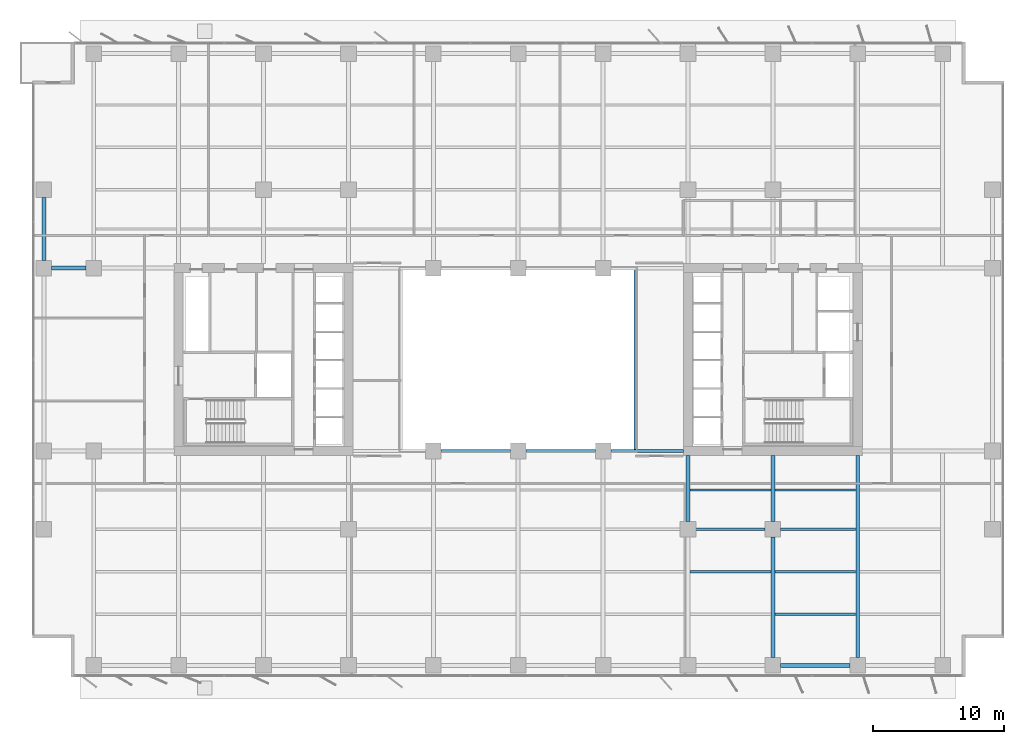
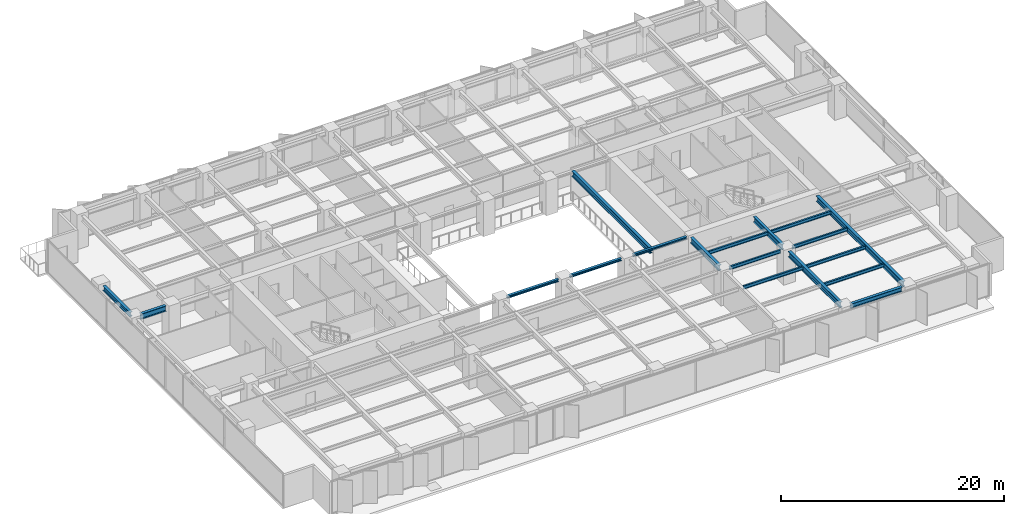
# One storey, part 6 of 19: 18 beams.
"""IFC4 building model written with IfcOpenShell, lengths in metres."""

import ifcopenshell
import ifcopenshell.guid

model = None  # the IFC model being written
_history = None  # IfcOwnerHistory: only IFC2X3 demands one
_inside = {}  # id of a spatial element -> (the spatial element, [elements in it])
_under = {}  # id of a project, library or spatial element -> (it, [spatial elements below it])
_declared = {}  # id of a project -> (the project, [libraries it declares])
_typed = {}  # id of a type object -> (the type object, [elements of that type])
_made_of = {}  # id of a material, layer set ... -> (it, [elements and type objects made of it])


def new_model(schema):
    """Start an empty IFC model of exactly this schema.

    Asked for "IFC4X3", IfcOpenShell would pick the latest addendum, in which some entities
    have other attributes; the version numbers below select the first issue.
    IFC2X3 requires an IfcOwnerHistory on every rooted entity: one is made here for all.
    """
    global model, _history
    if schema == "IFC4X3":
        model = ifcopenshell.file(schema_version=(4, 3, 0, 0))
    else:
        model = ifcopenshell.file(schema=schema)
    _inside.clear()
    _under.clear()
    _declared.clear()
    _typed.clear()
    _made_of.clear()
    _history = None
    if model.schema == "IFC2X3":
        org = make("IfcOrganization", Name="unknown")
        user = make(
            "IfcPersonAndOrganization",
            ThePerson=make("IfcPerson", FamilyName="unknown"),
            TheOrganization=org,
        )
        app = make(
            "IfcApplication",
            ApplicationDeveloper=org,
            Version="unknown",
            ApplicationFullName="unknown",
            ApplicationIdentifier="unknown",
        )
        _history = make(
            "IfcOwnerHistory",
            OwningUser=user,
            OwningApplication=app,
            ChangeAction="ADDED",
            CreationDate=0,
        )
    return model


def make(cls, **values):
    """One entity of the class cls with the attributes given. An attribute that is None is left unset."""
    return model.create_entity(
        cls, **{name: value for name, value in values.items() if value is not None}
    )


def rooted(cls, **values):
    """An entity with a GlobalId (a new one), such as an element, a storey or a relation."""
    return make(cls, GlobalId=ifcopenshell.guid.new(), OwnerHistory=_history, **values)


def si_unit(unit_type, name, prefix=None):
    """IfcSIUnit, for example si_unit("LENGTHUNIT", "METRE", prefix="MILLI")."""
    return make("IfcSIUnit", UnitType=unit_type, Prefix=prefix, Name=name)


def assignment(units):
    """IfcUnitAssignment: the units of a project."""
    return None if units is None else make("IfcUnitAssignment", Units=units)


def point(xyz):
    """IfcCartesianPoint."""
    return None if xyz is None else make("IfcCartesianPoint", Coordinates=xyz)


def direction(xyz):
    """IfcDirection."""
    return None if xyz is None else make("IfcDirection", DirectionRatios=xyz)


def frame(location, z_axis=None, x_axis=None):
    """IfcAxis2Placement3D, a coordinate frame: its origin and axes. An axis left out is left unset."""
    return make(
        "IfcAxis2Placement3D",
        Location=point(location),
        Axis=direction(z_axis),
        RefDirection=direction(x_axis),
    )


def frame_2d(location, x_axis=None):
    """IfcAxis2Placement2D, a coordinate frame in the plane: its origin and x axis."""
    return make(
        "IfcAxis2Placement2D", Location=point(location), RefDirection=direction(x_axis)
    )


def origin():
    """The frame at (0, 0, 0) with its axes left unset."""
    return frame((0.0, 0.0, 0.0))


def origin_2d():
    """The frame at (0, 0) in the plane with its x axis left unset."""
    return frame_2d((0.0, 0.0))


def place(relative_to, where):
    """IfcLocalPlacement: puts the frame where relative to a parent placement (None: the world)."""
    return make(
        "IfcLocalPlacement", PlacementRelTo=relative_to, RelativePlacement=where
    )


def context(
    kind, dimensions, precision=None, world=None, true_north=None, identifier=None
):
    """IfcGeometricRepresentationContext, for example the 3D "Model" context."""
    return make(
        "IfcGeometricRepresentationContext",
        ContextIdentifier=identifier,
        ContextType=kind,
        CoordinateSpaceDimension=dimensions,
        Precision=precision,
        WorldCoordinateSystem=world,
        TrueNorth=true_north,
    )


def subcontext(parent, identifier, kind, view, scale=None):
    """IfcGeometricRepresentationSubContext, for example "Body" below "Model"."""
    return make(
        "IfcGeometricRepresentationSubContext",
        ContextIdentifier=identifier,
        ContextType=kind,
        ParentContext=parent,
        TargetScale=scale,
        TargetView=view,
    )


def project(units=None, contexts=None):
    """IfcProject with its units and contexts."""
    return rooted(
        "IfcProject",
        Name="project",
        RepresentationContexts=contexts,
        UnitsInContext=assignment(units),
    )


def spatial(cls, under=None, at=None, **own):
    """A site, building, storey or space (cls), placed at a placement, below another one or the project."""
    s = rooted(cls, ObjectPlacement=at, **own)
    if under is not None:
        _under.setdefault(under.id(), (under, []))[1].append(s)
    return s


def profile(cls, at=None, kind="AREA", **sizes):
    """A parametric profile (cls). Its sizes go by their IFC names, for example OverallWidth=200.0."""
    return make(cls, ProfileType=kind, Position=at, **sizes)


def i_section(**sizes):
    """IfcIShapeProfileDef."""
    return profile("IfcIShapeProfileDef", **sizes)


def extrude(swept, where, along, depth):
    """IfcExtrudedAreaSolid: the profile swept, set in the frame where, extruded along a direction by depth."""
    return make(
        "IfcExtrudedAreaSolid",
        SweptArea=swept,
        Position=where,
        ExtrudedDirection=direction(along),
        Depth=depth,
    )


def shape(context_of_items, identifier, shape_type, items):
    """IfcShapeRepresentation: the items that make up one representation, for example the "Body"."""
    return make(
        "IfcShapeRepresentation",
        ContextOfItems=context_of_items,
        RepresentationIdentifier=identifier,
        RepresentationType=shape_type,
        Items=items,
    )


def material(Name=None, Category=None):
    """IfcMaterial."""
    return make("IfcMaterial", Name=Name, Category=Category)


def material_profile(
    of_material, cross_section, Name=None, Category=None, Priority=None
):
    """IfcMaterialProfile: a cross section and its material."""
    return make(
        "IfcMaterialProfile",
        Name=Name,
        Material=of_material,
        Profile=cross_section,
        Priority=Priority,
        Category=Category,
    )


def profile_set(profiles, Name=None, composite=None):
    """IfcMaterialProfileSet."""
    return make(
        "IfcMaterialProfileSet",
        Name=Name,
        MaterialProfiles=profiles,
        CompositeProfile=composite,
    )


def made_of(thing, what):
    """Note that an element or type object is made of a material, layer set ...; save() writes the relation."""
    if what is not None:
        _made_of.setdefault(what.id(), (what, []))[1].append(thing)
    return thing


def type_object(cls, material=None, **own):
    """A type object (cls), such as IfcWallType, which elements share."""
    return made_of(rooted(cls, **own), material)


def element(
    cls,
    number,
    at=None,
    inside=None,
    cuts=None,
    type_object=None,
    material=None,
    context=None,
    identifier="Body",
    shape_type=None,
    held_by="IfcProductDefinitionShape",
    body=None,
    shapes=None,
    **own,
):
    """One element of the class cls, such as IfcWall. Its Tag is "e" and its number.

    at: its placement. inside: the storey or other place that contains it. cuts: it is an
    opening in that element (IfcRelVoidsElement). A single representation is given by context,
    identifier, shape_type and body (its items); several are given by shapes. held_by: the class
    of the entity that holds the representations. save() writes the other relations.
    """
    e = rooted(cls, Tag="e%d" % number, ObjectPlacement=at, **own)
    if body is not None:
        shapes = [shape(context, identifier, shape_type, body)]
    if shapes is not None:
        e.Representation = make(held_by, Representations=shapes)
    if inside is not None:
        _inside.setdefault(inside.id(), (inside, []))[1].append(e)
    if cuts is not None:
        rooted(
            "IfcRelVoidsElement", RelatingBuildingElement=cuts, RelatedOpeningElement=e
        )
    if type_object is not None:
        _typed.setdefault(type_object.id(), (type_object, []))[1].append(e)
    return made_of(e, material)


def aggregate(whole, parts):
    """IfcRelAggregates: a whole, such as a stair, and the parts it consists of."""
    return rooted("IfcRelAggregates", RelatingObject=whole, RelatedObjects=parts)


def save(model, path):
    """Write the relations noted so far, then the file.

    IfcRelAggregates (storeys below a building ...), IfcRelContainedInSpatialStructure (elements
    in a storey), IfcRelDefinesByType, IfcRelAssociatesMaterial and IfcRelDeclares: one each for
    every whole, place, type object, material and project.
    """
    for whole, parts in _under.values():
        aggregate(whole, parts)
    for where, things in _inside.values():
        rooted(
            "IfcRelContainedInSpatialStructure",
            RelatedElements=things,
            RelatingStructure=where,
        )
    for kind, things in _typed.values():
        rooted("IfcRelDefinesByType", RelatedObjects=things, RelatingType=kind)
    for what, things in _made_of.values():
        rooted("IfcRelAssociatesMaterial", RelatedObjects=things, RelatingMaterial=what)
    for by, libraries in _declared.values():
        rooted("IfcRelDeclares", RelatingContext=by, RelatedDefinitions=libraries)
    model.write(path)


model = new_model("IFC4")

# Units and contexts
model_context = context("Model", 3, precision=1e-05, world=origin(), true_north=direction((0.0, 1.0)))
body_context = subcontext(model_context, "Body", "Model", "MODEL_VIEW")
ifc_project = project(units=[si_unit("LENGTHUNIT", "METRE"), si_unit("AREAUNIT", "SQUARE_METRE"), si_unit("VOLUMEUNIT", "CUBIC_METRE"), si_unit("PLANEANGLEUNIT", "RADIAN"), si_unit("MASSUNIT", "GRAM", prefix="KILO")], contexts=[model_context])

# Site, building, storey
site_placement = place(None, origin())
site = spatial("IfcSite", under=ifc_project, at=site_placement, CompositionType="ELEMENT")
building_placement = place(site_placement, origin())
building = spatial("IfcBuilding", under=site, at=building_placement, Name="Putna Gate Headquarters", CompositionType="ELEMENT")
storey_placement = place(building_placement, frame((0.0, 0.0, 86.0)))
storey = spatial("IfcBuildingStorey", under=building, at=storey_placement, Name="L20", CompositionType="ELEMENT", Elevation=86.0)

# Beams
ifc_material = material(Name="Steel S355J2", Category="steel")
ifc_material_profile_1 = material_profile(ifc_material, i_section(OverallWidth=0.260009765625, OverallDepth=0.260009765625, WebThickness=0.010009765625, FlangeThickness=0.017578125, at=origin_2d()), Name="Steel S355J2")
ifc_profile_set_1 = profile_set([ifc_material_profile_1], Name="Steel S355J2")
beam_type_1 = type_object("IfcBeamType", Name="BM-ATRIUM-HEB260", PredefinedType="BEAM", material=ifc_profile_set_1)
for number, where, z_axis, x_axis, name in (
    (1, (33.087890625, 19.0, 3.43505859375), (1.0, 0.0, 0.0), (0.0, 1.0, 0.0), "L20 Atrium Edge Beam AS2"),
    (2, (39.587890625, 19.0, 3.43505859375), (1.0, 0.0, 0.0), (0.0, 1.0, 0.0), "L20 Atrium Edge Beam AS3"),
):
    element("IfcBeam", number, at=place(storey_placement, frame(where, z_axis=z_axis, x_axis=x_axis)), inside=storey, type_object=beam_type_1, Name=name, PredefinedType="BEAM", context=body_context, shape_type="SweptSolid", body=[
        extrude(i_section(OverallWidth=0.260009765625, OverallDepth=0.260009765625, WebThickness=0.010009765625, FlangeThickness=0.017578125, at=origin_2d()), origin(), (0.0, 0.0, 1.0), 5.32421875),
    ])
beam_1_placement = place(storey_placement, frame((46.087890625, 19.0, 3.43505859375), z_axis=(1.0, 0.0, 0.0), x_axis=(0.0, 1.0, 0.0)))
element("IfcBeam", 3, at=beam_1_placement, inside=storey, type_object=beam_type_1, Name="L20 Atrium Edge Beam AS4", PredefinedType="BEAM", context=body_context, shape_type="SweptSolid", body=[
    extrude(i_section(OverallWidth=0.260009765625, OverallDepth=0.260009765625, WebThickness=0.010009765625, FlangeThickness=0.017578125, at=origin_2d()), origin(), (0.0, 0.0, 1.0), 5.5771484375),
])
ifc_material_profile_2 = material_profile(ifc_material, i_section(OverallWidth=0.300048828125, OverallDepth=0.60009765625, WebThickness=0.015380859375, FlangeThickness=0.030029296875, at=origin_2d()), Name="Steel S355J2")
ifc_profile_set_2 = profile_set([ifc_material_profile_2], Name="Steel S355J2")
beam_type_2 = type_object("IfcBeamType", Name="BM-GIRD-Z2-HEB600", PredefinedType="USERDEFINED", material=ifc_profile_set_2)
beam_2_placement = place(storey_placement, frame((3.26806640625, 33.0, 3.264892578125), z_axis=(1.0, 0.0, 0.0), x_axis=(0.0, 1.0, 0.0)))
element("IfcBeam", 4, at=beam_2_placement, inside=storey, type_object=beam_type_2, Name="L20 West Wing Girder Y33-1", ObjectType="GIRDER", PredefinedType="USERDEFINED", context=body_context, shape_type="SweptSolid", body=[
    extrude(i_section(OverallWidth=0.300048828125, OverallDepth=0.60009765625, WebThickness=0.015380859375, FlangeThickness=0.030029296875, at=origin_2d()), origin(), (0.0, 0.0, 1.0), 2.64404296875),
])
beam_3_placement = place(storey_placement, frame((52.0, 13.587890625, 3.264892578125), z_axis=(0.0, 1.0, 0.0), x_axis=(-1.0, 0.0, 0.0)))
element("IfcBeam", 5, at=beam_3_placement, inside=storey, type_object=beam_type_2, Name="L20 South Primary Girder X52-2", ObjectType="GIRDER", PredefinedType="USERDEFINED", context=body_context, shape_type="SweptSolid", body=[
    extrude(i_section(OverallWidth=0.300048828125, OverallDepth=0.60009765625, WebThickness=0.015380859375, FlangeThickness=0.030029296875, at=origin_2d()), origin(), (0.0, 0.0, 1.0), 5.0771484375),
])
beam_4_placement = place(storey_placement, frame((58.5, 3.16796875, 3.264892578125), z_axis=(0.0, 1.0, 0.0), x_axis=(-1.0, 0.0, 0.0)))
element("IfcBeam", 6, at=beam_4_placement, inside=storey, type_object=beam_type_2, Name="L20 South Primary Girder X58-1", ObjectType="GIRDER", PredefinedType="USERDEFINED", context=body_context, shape_type="SweptSolid", body=[
    extrude(i_section(OverallWidth=0.300048828125, OverallDepth=0.60009765625, WebThickness=0.015380859375, FlangeThickness=0.030029296875, at=origin_2d()), origin(), (0.0, 0.0, 1.0), 9.244140625),
])
beam_5_placement = place(storey_placement, frame((58.5, 13.587890625, 3.264892578125), z_axis=(0.0, 1.0, 0.0), x_axis=(-1.0, 0.0, 0.0)))
element("IfcBeam", 7, at=beam_5_placement, inside=storey, type_object=beam_type_2, Name="L20 South Primary Girder X58-2", ObjectType="GIRDER", PredefinedType="USERDEFINED", context=body_context, shape_type="SweptSolid", body=[
    extrude(i_section(OverallWidth=0.300048828125, OverallDepth=0.60009765625, WebThickness=0.015380859375, FlangeThickness=0.030029296875, at=origin_2d()), origin(), (0.0, 0.0, 1.0), 5.0771484375),
])
beam_6_placement = place(storey_placement, frame((65.0, 3.16796875, 3.264892578125), z_axis=(0.0, 1.0, 0.0), x_axis=(-1.0, 0.0, 0.0)))
element("IfcBeam", 8, at=beam_6_placement, inside=storey, type_object=beam_type_2, Name="L20 South Primary Girder X65", ObjectType="GIRDER", PredefinedType="USERDEFINED", context=body_context, shape_type="SweptSolid", body=[
    extrude(i_section(OverallWidth=0.300048828125, OverallDepth=0.60009765625, WebThickness=0.015380859375, FlangeThickness=0.030029296875, at=origin_2d()), origin(), (0.0, 0.0, 1.0), 15.4970703125),
])
beam_7_placement = place(storey_placement, frame((48.0, 19.010009765625, 3.264892578125), z_axis=(0.0, 1.0, 0.0), x_axis=(-1.0, 0.0, 0.0)))
element("IfcBeam", 9, at=beam_7_placement, inside=storey, type_object=beam_type_2, Name="L20 Atrium Trim Girder AE", ObjectType="GIRDER", PredefinedType="USERDEFINED", context=body_context, shape_type="SweptSolid", body=[
    extrude(i_section(OverallWidth=0.300048828125, OverallDepth=0.60009765625, WebThickness=0.015380859375, FlangeThickness=0.030029296875, at=origin_2d()), origin(), (0.0, 0.0, 1.0), 13.97998046875),
])
ifc_material_profile_3 = material_profile(ifc_material, i_section(OverallWidth=0.169921875, OverallDepth=0.360107421875, WebThickness=0.008056640625, FlangeThickness=0.0126953125, at=origin_2d()), Name="Steel S355J2")
ifc_profile_set_3 = profile_set([ifc_material_profile_3], Name="Steel S355J2")
beam_type_3 = type_object("IfcBeamType", Name="BM-SEC-Z2-IPE360", PredefinedType="BEAM", material=ifc_profile_set_3)
beam_8_placement = place(storey_placement, frame((52.154052734375, 9.75, 3.385009765625), z_axis=(1.0, 0.0, 0.0), x_axis=(0.0, 1.0, 0.0)))
element("IfcBeam", 10, at=beam_8_placement, inside=storey, type_object=beam_type_3, Name="L20 South Secondary Beam 8", PredefinedType="BEAM", context=body_context, shape_type="SweptSolid", body=[
    extrude(i_section(OverallWidth=0.169921875, OverallDepth=0.360107421875, WebThickness=0.008056640625, FlangeThickness=0.0126953125, at=origin_2d()), origin(), (0.0, 0.0, 1.0), 6.19189453125),
])
beam_9_placement = place(storey_placement, frame((52.587890625, 13.0, 3.385009765625), z_axis=(1.0, 0.0, 0.0), x_axis=(0.0, 1.0, 0.0)))
element("IfcBeam", 11, at=beam_9_placement, inside=storey, type_object=beam_type_3, Name="L20 South Secondary Beam 8", PredefinedType="BEAM", context=body_context, shape_type="SweptSolid", body=[
    extrude(i_section(OverallWidth=0.169921875, OverallDepth=0.360107421875, WebThickness=0.008056640625, FlangeThickness=0.0126953125, at=origin_2d()), origin(), (0.0, 0.0, 1.0), 5.32421875),
])
for number, where, z_axis, x_axis, name in (
    (12, (52.154052734375, 16.0, 3.385009765625), (1.0, 0.0, 0.0), (0.0, 1.0, 0.0), "L20 South Secondary Beam 8"),
    (13, (58.654052734375, 6.5, 3.385009765625), (1.0, 0.0, 0.0), (0.0, 1.0, 0.0), "L20 South Secondary Beam 9"),
    (14, (58.654052734375, 9.75, 3.385009765625), (1.0, 0.0, 0.0), (0.0, 1.0, 0.0), "L20 South Secondary Beam 9"),
):
    element("IfcBeam", number, at=place(storey_placement, frame(where, z_axis=z_axis, x_axis=x_axis)), inside=storey, type_object=beam_type_3, Name=name, PredefinedType="BEAM", context=body_context, shape_type="SweptSolid", body=[
        extrude(i_section(OverallWidth=0.169921875, OverallDepth=0.360107421875, WebThickness=0.008056640625, FlangeThickness=0.0126953125, at=origin_2d()), origin(), (0.0, 0.0, 1.0), 6.19189453125),
    ])
beam_10_placement = place(storey_placement, frame((59.087890625, 13.0, 3.385009765625), z_axis=(1.0, 0.0, 0.0), x_axis=(0.0, 1.0, 0.0)))
element("IfcBeam", 15, at=beam_10_placement, inside=storey, type_object=beam_type_3, Name="L20 South Secondary Beam 9", PredefinedType="BEAM", context=body_context, shape_type="SweptSolid", body=[
    extrude(i_section(OverallWidth=0.169921875, OverallDepth=0.360107421875, WebThickness=0.008056640625, FlangeThickness=0.0126953125, at=origin_2d()), origin(), (0.0, 0.0, 1.0), 5.758056640625),
])
beam_11_placement = place(storey_placement, frame((58.654052734375, 16.0, 3.385009765625), z_axis=(1.0, 0.0, 0.0), x_axis=(0.0, 1.0, 0.0)))
element("IfcBeam", 16, at=beam_11_placement, inside=storey, type_object=beam_type_3, Name="L20 South Secondary Beam 9", PredefinedType="BEAM", context=body_context, shape_type="SweptSolid", body=[
    extrude(i_section(OverallWidth=0.169921875, OverallDepth=0.360107421875, WebThickness=0.008056640625, FlangeThickness=0.0126953125, at=origin_2d()), origin(), (0.0, 0.0, 1.0), 6.19189453125),
])
ifc_material_profile_4 = material_profile(ifc_material, i_section(OverallWidth=0.300048828125, OverallDepth=0.489990234375, WebThickness=0.011962890625, FlangeThickness=0.02294921875, at=origin_2d()), Name="Steel S355J2")
ifc_profile_set_4 = profile_set([ifc_material_profile_4], Name="Steel S355J2")
beam_type_4 = type_object("IfcBeamType", Name="BM-SPAN-Z2-HEA500", PredefinedType="SPANDREL", material=ifc_profile_set_4)
beam_12_placement = place(storey_placement, frame((59.087890625, 2.580078125, 3.320068359375), z_axis=(1.0, 0.0, 0.0), x_axis=(0.0, 1.0, 0.0)))
element("IfcBeam", 17, at=beam_12_placement, inside=storey, type_object=beam_type_4, Name="L20 S Perimeter Spandrel 9", PredefinedType="SPANDREL", context=body_context, shape_type="SweptSolid", body=[
    extrude(i_section(OverallWidth=0.300048828125, OverallDepth=0.489990234375, WebThickness=0.011962890625, FlangeThickness=0.02294921875, at=origin_2d()), origin(), (0.0, 0.0, 1.0), 5.32421875),
])
beam_13_placement = place(storey_placement, frame((2.679931640625, 33.587890625, 3.320068359375), z_axis=(0.0, 1.0, 0.0), x_axis=(-1.0, 0.0, 0.0)))
element("IfcBeam", 18, at=beam_13_placement, inside=storey, type_object=beam_type_4, Name="L20 W End Spandrel 3", PredefinedType="SPANDREL", context=body_context, shape_type="SweptSolid", body=[
    extrude(i_section(OverallWidth=0.300048828125, OverallDepth=0.489990234375, WebThickness=0.011962890625, FlangeThickness=0.02294921875, at=origin_2d()), origin(), (0.0, 0.0, 1.0), 4.82421875),
])

save(model, "model.ifc")
